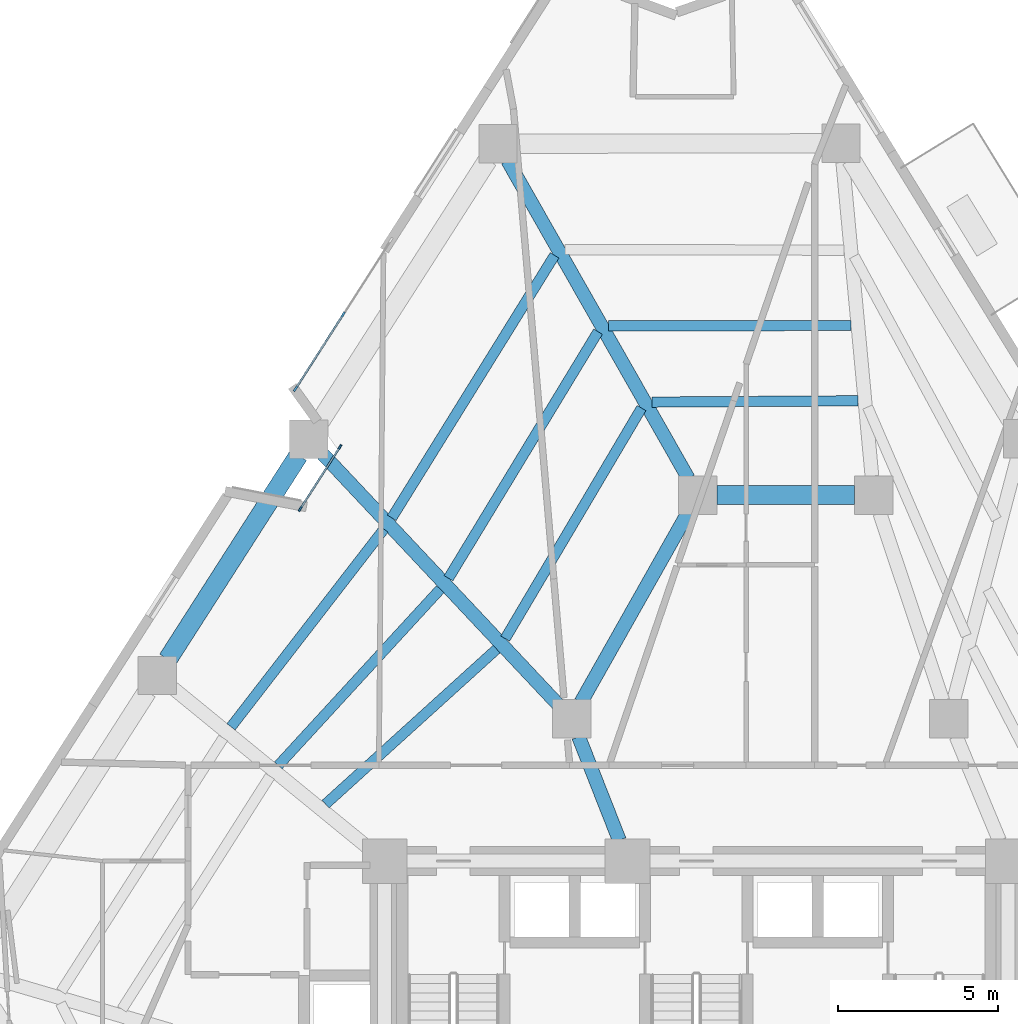
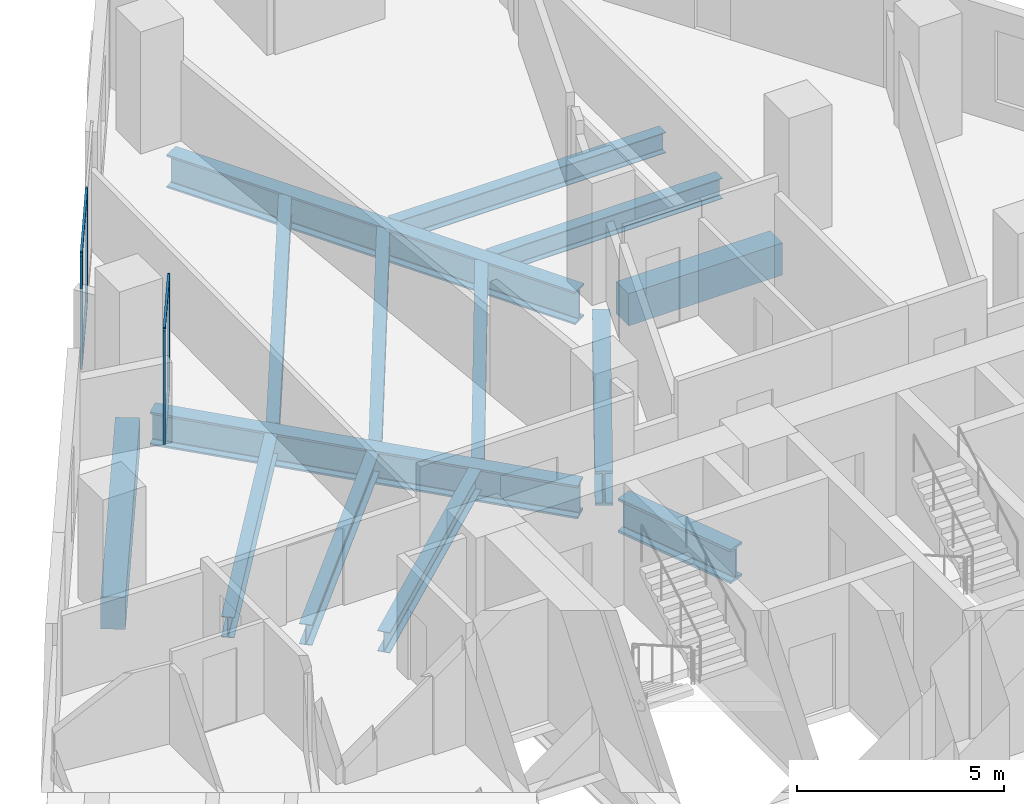
# One storey, part 3 of 13: 14 beams, 8 members, 2 elements without a shape of their own.
"""IFC4 building model written with IfcOpenShell, lengths in metres."""

import ifcopenshell
import ifcopenshell.guid

model = None  # the IFC model being written
_history = None  # IfcOwnerHistory: only IFC2X3 demands one
_inside = {}  # id of a spatial element -> (the spatial element, [elements in it])
_under = {}  # id of a project, library or spatial element -> (it, [spatial elements below it])
_declared = {}  # id of a project -> (the project, [libraries it declares])
_typed = {}  # id of a type object -> (the type object, [elements of that type])
_made_of = {}  # id of a material, layer set ... -> (it, [elements and type objects made of it])


def new_model(schema):
    """Start an empty IFC model of exactly this schema.

    Asked for "IFC4X3", IfcOpenShell would pick the latest addendum, in which some entities
    have other attributes; the version numbers below select the first issue.
    IFC2X3 requires an IfcOwnerHistory on every rooted entity: one is made here for all.
    """
    global model, _history
    if schema == "IFC4X3":
        model = ifcopenshell.file(schema_version=(4, 3, 0, 0))
    else:
        model = ifcopenshell.file(schema=schema)
    _inside.clear()
    _under.clear()
    _declared.clear()
    _typed.clear()
    _made_of.clear()
    _history = None
    if model.schema == "IFC2X3":
        org = make("IfcOrganization", Name="unknown")
        user = make(
            "IfcPersonAndOrganization",
            ThePerson=make("IfcPerson", FamilyName="unknown"),
            TheOrganization=org,
        )
        app = make(
            "IfcApplication",
            ApplicationDeveloper=org,
            Version="unknown",
            ApplicationFullName="unknown",
            ApplicationIdentifier="unknown",
        )
        _history = make(
            "IfcOwnerHistory",
            OwningUser=user,
            OwningApplication=app,
            ChangeAction="ADDED",
            CreationDate=0,
        )
    return model


def make(cls, **values):
    """One entity of the class cls with the attributes given. An attribute that is None is left unset."""
    return model.create_entity(
        cls, **{name: value for name, value in values.items() if value is not None}
    )


def rooted(cls, **values):
    """An entity with a GlobalId (a new one), such as an element, a storey or a relation."""
    return make(cls, GlobalId=ifcopenshell.guid.new(), OwnerHistory=_history, **values)


def si_unit(unit_type, name, prefix=None):
    """IfcSIUnit, for example si_unit("LENGTHUNIT", "METRE", prefix="MILLI")."""
    return make("IfcSIUnit", UnitType=unit_type, Prefix=prefix, Name=name)


def assignment(units):
    """IfcUnitAssignment: the units of a project."""
    return None if units is None else make("IfcUnitAssignment", Units=units)


def point(xyz):
    """IfcCartesianPoint."""
    return None if xyz is None else make("IfcCartesianPoint", Coordinates=xyz)


def direction(xyz):
    """IfcDirection."""
    return None if xyz is None else make("IfcDirection", DirectionRatios=xyz)


def frame(location, z_axis=None, x_axis=None):
    """IfcAxis2Placement3D, a coordinate frame: its origin and axes. An axis left out is left unset."""
    return make(
        "IfcAxis2Placement3D",
        Location=point(location),
        Axis=direction(z_axis),
        RefDirection=direction(x_axis),
    )


def frame_2d(location, x_axis=None):
    """IfcAxis2Placement2D, a coordinate frame in the plane: its origin and x axis."""
    return make(
        "IfcAxis2Placement2D", Location=point(location), RefDirection=direction(x_axis)
    )


def origin():
    """The frame at (0, 0, 0) with its axes left unset."""
    return frame((0.0, 0.0, 0.0))


def origin_2d():
    """The frame at (0, 0) in the plane with its x axis left unset."""
    return frame_2d((0.0, 0.0))


def place(relative_to, where):
    """IfcLocalPlacement: puts the frame where relative to a parent placement (None: the world)."""
    return make(
        "IfcLocalPlacement", PlacementRelTo=relative_to, RelativePlacement=where
    )


def context(
    kind, dimensions, precision=None, world=None, true_north=None, identifier=None
):
    """IfcGeometricRepresentationContext, for example the 3D "Model" context."""
    return make(
        "IfcGeometricRepresentationContext",
        ContextIdentifier=identifier,
        ContextType=kind,
        CoordinateSpaceDimension=dimensions,
        Precision=precision,
        WorldCoordinateSystem=world,
        TrueNorth=true_north,
    )


def subcontext(parent, identifier, kind, view, scale=None):
    """IfcGeometricRepresentationSubContext, for example "Body" below "Model"."""
    return make(
        "IfcGeometricRepresentationSubContext",
        ContextIdentifier=identifier,
        ContextType=kind,
        ParentContext=parent,
        TargetScale=scale,
        TargetView=view,
    )


def project(units=None, contexts=None):
    """IfcProject with its units and contexts."""
    return rooted(
        "IfcProject",
        Name="project",
        RepresentationContexts=contexts,
        UnitsInContext=assignment(units),
    )


def spatial(cls, under=None, at=None, **own):
    """A site, building, storey or space (cls), placed at a placement, below another one or the project."""
    s = rooted(cls, ObjectPlacement=at, **own)
    if under is not None:
        _under.setdefault(under.id(), (under, []))[1].append(s)
    return s


def profile(cls, at=None, kind="AREA", **sizes):
    """A parametric profile (cls). Its sizes go by their IFC names, for example OverallWidth=200.0."""
    return make(cls, ProfileType=kind, Position=at, **sizes)


def rectangle(**sizes):
    """IfcRectangleProfileDef."""
    return profile("IfcRectangleProfileDef", **sizes)


def i_section(**sizes):
    """IfcIShapeProfileDef."""
    return profile("IfcIShapeProfileDef", **sizes)


def extrude(swept, where, along, depth):
    """IfcExtrudedAreaSolid: the profile swept, set in the frame where, extruded along a direction by depth."""
    return make(
        "IfcExtrudedAreaSolid",
        SweptArea=swept,
        Position=where,
        ExtrudedDirection=direction(along),
        Depth=depth,
    )


def shape(context_of_items, identifier, shape_type, items):
    """IfcShapeRepresentation: the items that make up one representation, for example the "Body"."""
    return make(
        "IfcShapeRepresentation",
        ContextOfItems=context_of_items,
        RepresentationIdentifier=identifier,
        RepresentationType=shape_type,
        Items=items,
    )


def material(Name=None, Category=None):
    """IfcMaterial."""
    return make("IfcMaterial", Name=Name, Category=Category)


def layer(
    of_material, thickness, ventilated=None, Name=None, Category=None, Priority=None
):
    """IfcMaterialLayer: one layer of a wall or slab, of a material (None: an air gap)."""
    return make(
        "IfcMaterialLayer",
        Material=of_material,
        LayerThickness=thickness,
        IsVentilated=ventilated,
        Name=Name,
        Category=Category,
        Priority=Priority,
    )


def layer_set(layers, Name=None):
    """IfcMaterialLayerSet."""
    return make("IfcMaterialLayerSet", MaterialLayers=layers, LayerSetName=Name)


def material_profile(
    of_material, cross_section, Name=None, Category=None, Priority=None
):
    """IfcMaterialProfile: a cross section and its material."""
    return make(
        "IfcMaterialProfile",
        Name=Name,
        Material=of_material,
        Profile=cross_section,
        Priority=Priority,
        Category=Category,
    )


def profile_set(profiles, Name=None, composite=None):
    """IfcMaterialProfileSet."""
    return make(
        "IfcMaterialProfileSet",
        Name=Name,
        MaterialProfiles=profiles,
        CompositeProfile=composite,
    )


def made_of(thing, what):
    """Note that an element or type object is made of a material, layer set ...; save() writes the relation."""
    if what is not None:
        _made_of.setdefault(what.id(), (what, []))[1].append(thing)
    return thing


def type_object(cls, material=None, **own):
    """A type object (cls), such as IfcWallType, which elements share."""
    return made_of(rooted(cls, **own), material)


def element(
    cls,
    number,
    at=None,
    inside=None,
    cuts=None,
    type_object=None,
    material=None,
    context=None,
    identifier="Body",
    shape_type=None,
    held_by="IfcProductDefinitionShape",
    body=None,
    shapes=None,
    **own,
):
    """One element of the class cls, such as IfcWall. Its Tag is "e" and its number.

    at: its placement. inside: the storey or other place that contains it. cuts: it is an
    opening in that element (IfcRelVoidsElement). A single representation is given by context,
    identifier, shape_type and body (its items); several are given by shapes. held_by: the class
    of the entity that holds the representations. save() writes the other relations.
    """
    e = rooted(cls, Tag="e%d" % number, ObjectPlacement=at, **own)
    if body is not None:
        shapes = [shape(context, identifier, shape_type, body)]
    if shapes is not None:
        e.Representation = make(held_by, Representations=shapes)
    if inside is not None:
        _inside.setdefault(inside.id(), (inside, []))[1].append(e)
    if cuts is not None:
        rooted(
            "IfcRelVoidsElement", RelatingBuildingElement=cuts, RelatedOpeningElement=e
        )
    if type_object is not None:
        _typed.setdefault(type_object.id(), (type_object, []))[1].append(e)
    return made_of(e, material)


def aggregate(whole, parts):
    """IfcRelAggregates: a whole, such as a stair, and the parts it consists of."""
    return rooted("IfcRelAggregates", RelatingObject=whole, RelatedObjects=parts)


def save(model, path):
    """Write the relations noted so far, then the file.

    IfcRelAggregates (storeys below a building ...), IfcRelContainedInSpatialStructure (elements
    in a storey), IfcRelDefinesByType, IfcRelAssociatesMaterial and IfcRelDeclares: one each for
    every whole, place, type object, material and project.
    """
    for whole, parts in _under.values():
        aggregate(whole, parts)
    for where, things in _inside.values():
        rooted(
            "IfcRelContainedInSpatialStructure",
            RelatedElements=things,
            RelatingStructure=where,
        )
    for kind, things in _typed.values():
        rooted("IfcRelDefinesByType", RelatedObjects=things, RelatingType=kind)
    for what, things in _made_of.values():
        rooted("IfcRelAssociatesMaterial", RelatedObjects=things, RelatingMaterial=what)
    for by, libraries in _declared.values():
        rooted("IfcRelDeclares", RelatingContext=by, RelatedDefinitions=libraries)
    model.write(path)


model = new_model("IFC4")

# Units and contexts
model_context = context("Model", 3, precision=1e-05, world=origin(), true_north=direction((0.0, 1.0)))
body_context = subcontext(model_context, "Body", "Model", "MODEL_VIEW")
ifc_project = project(units=[si_unit("LENGTHUNIT", "METRE"), si_unit("AREAUNIT", "SQUARE_METRE"), si_unit("VOLUMEUNIT", "CUBIC_METRE"), si_unit("PLANEANGLEUNIT", "RADIAN"), si_unit("MASSUNIT", "GRAM", prefix="KILO")], contexts=[model_context])

# Site, building, storey
site_placement = place(None, origin())
site = spatial("IfcSite", under=ifc_project, at=site_placement, CompositionType="ELEMENT")
building_placement = place(site_placement, origin())
building = spatial("IfcBuilding", under=site, at=building_placement, Name="Almagre Mirador Tower", CompositionType="ELEMENT")
storey_placement = place(building_placement, frame((0.0, 0.0, 85.800048828125)))
storey = spatial("IfcBuildingStorey", under=building, at=storey_placement, Name="L21", CompositionType="ELEMENT", Elevation=85.800048828125)

# Beams
ifc_material_1 = material(Name="Steel ASTM A992 Grade 50", Category="steel")
ifc_material_profile_1 = material_profile(ifc_material_1, i_section(OverallWidth=0.323974609375, OverallDepth=0.611083984375, WebThickness=0.0126953125, FlangeThickness=0.01904296875, FilletRadius=0.02001953125, at=origin_2d()), Name="W24X104")
ifc_profile_set_1 = profile_set([ifc_material_profile_1], Name="Steel ASTM A992 Grade 50")
beam_type_1 = type_object("IfcBeamType", Name="BM-JST-W24X104", PredefinedType="JOIST", material=ifc_profile_set_1)
beam_1_placement = place(storey_placement, frame((42.142333984375, 31.50732421875, -0.5556640625), z_axis=(-0.999998857543, -0.001511592523, 0.0), x_axis=(0.001511592523, -0.999998857543, 0.0)))
element("IfcBeam", 1, at=beam_1_placement, inside=storey, type_object=beam_type_1, Name="L21 secondary floor joist PC08-PC09.2", PredefinedType="JOIST", context=body_context, shape_type="SweptSolid", body=[
    extrude(i_section(OverallWidth=0.323974609375, OverallDepth=0.611083984375, WebThickness=0.0126953125, FlangeThickness=0.01904296875, FilletRadius=0.02001953125, at=origin_2d()), origin(), (0.0, 0.0, 1.0), 7.591064453125),
])
beam_2_placement = place(storey_placement, frame((42.361328125, 29.151123046875, -0.5556640625), z_axis=(-0.999979554323, -0.006394602114, 0.0), x_axis=(0.006394602114, -0.999979554323, 0.0)))
element("IfcBeam", 2, at=beam_2_placement, inside=storey, type_object=beam_type_1, Name="L21 secondary floor joist PC08-PC09.3", PredefinedType="JOIST", context=body_context, shape_type="SweptSolid", body=[
    extrude(i_section(OverallWidth=0.323974609375, OverallDepth=0.611083984375, WebThickness=0.0126953125, FlangeThickness=0.01904296875, FilletRadius=0.02001953125, at=origin_2d()), origin(), (0.0, 0.0, 1.0), 6.452392578125),
])
beam_3_placement = place(storey_placement, frame((32.8662109375, 33.70068359375, -0.5556640625), z_axis=(-0.527025078824, -0.849849731594, 0.0), x_axis=(0.849849731594, -0.527025078824, 0.0)))
element("IfcBeam", 3, at=beam_3_placement, inside=storey, type_object=beam_type_1, Name="L21 secondary floor joist PC09-PC10.1", PredefinedType="JOIST", context=body_context, shape_type="SweptSolid", body=[
    extrude(i_section(OverallWidth=0.323974609375, OverallDepth=0.611083984375, WebThickness=0.0126953125, FlangeThickness=0.01904296875, FilletRadius=0.02001953125, at=origin_2d()), origin(), (0.0, 0.0, 1.0), 9.662841796875),
])
beam_4_placement = place(storey_placement, frame((34.226318359375, 31.3125, -0.5556640625), z_axis=(-0.51862919068, -0.854999276359, 0.0), x_axis=(0.854999276359, -0.51862919068, 0.0)))
element("IfcBeam", 4, at=beam_4_placement, inside=storey, type_object=beam_type_1, Name="L21 secondary floor joist PC09-PC10.2", PredefinedType="JOIST", context=body_context, shape_type="SweptSolid", body=[
    extrude(i_section(OverallWidth=0.323974609375, OverallDepth=0.611083984375, WebThickness=0.0126953125, FlangeThickness=0.01904296875, FilletRadius=0.02001953125, at=origin_2d()), origin(), (0.0, 0.0, 1.0), 9.020263671875),
])
beam_5_placement = place(storey_placement, frame((35.586181640625, 28.92431640625, -0.5556640625), z_axis=(-0.508893233188, -0.860829644712, 0.0), x_axis=(0.860829644712, -0.508893233188, 0.0)))
element("IfcBeam", 5, at=beam_5_placement, inside=storey, type_object=beam_type_1, Name="L21 secondary floor joist PC09-PC10.3", PredefinedType="JOIST", context=body_context, shape_type="SweptSolid", body=[
    extrude(i_section(OverallWidth=0.323974609375, OverallDepth=0.611083984375, WebThickness=0.0126953125, FlangeThickness=0.01904296875, FilletRadius=0.02001953125, at=origin_2d()), origin(), (0.0, 0.0, 1.0), 8.37939453125),
])
beam_6_placement = place(storey_placement, frame((27.530029296875, 25.1376953125, -0.5556640625), z_axis=(-0.611727324998, -0.791068694773, 0.0), x_axis=(0.791068694773, -0.611727324998, 0.0)))
element("IfcBeam", 6, at=beam_6_placement, inside=storey, type_object=beam_type_1, Name="L21 secondary floor joist PC10-PC11.1", PredefinedType="JOIST", context=body_context, shape_type="SweptSolid", body=[
    extrude(i_section(OverallWidth=0.323974609375, OverallDepth=0.611083984375, WebThickness=0.0126953125, FlangeThickness=0.01904296875, FilletRadius=0.02001953125, at=origin_2d()), origin(), (0.0, 0.0, 1.0), 7.82080078125),
])
beam_7_placement = place(storey_placement, frame((29.292236328125, 23.259521484375, -0.5556640625), z_axis=(-0.676538846578, -0.73640694529, 0.0), x_axis=(0.73640694529, -0.676538846578, 0.0)))
element("IfcBeam", 7, at=beam_7_placement, inside=storey, type_object=beam_type_1, Name="L21 secondary floor joist PC10-PC11.2", PredefinedType="JOIST", context=body_context, shape_type="SweptSolid", body=[
    extrude(i_section(OverallWidth=0.323974609375, OverallDepth=0.611083984375, WebThickness=0.0126953125, FlangeThickness=0.01904296875, FilletRadius=0.02001953125, at=origin_2d()), origin(), (0.0, 0.0, 1.0), 7.4912109375),
])
beam_8_placement = place(storey_placement, frame((31.054443359375, 21.38330078125, -0.5556640625), z_axis=(-0.7409990396, -0.671506085834, 0.0), x_axis=(0.671506085834, -0.7409990396, 0.0)))
element("IfcBeam", 8, at=beam_8_placement, inside=storey, type_object=beam_type_1, Name="L21 secondary floor joist PC10-PC11.3", PredefinedType="JOIST", context=body_context, shape_type="SweptSolid", body=[
    extrude(i_section(OverallWidth=0.323974609375, OverallDepth=0.611083984375, WebThickness=0.0126953125, FlangeThickness=0.01904296875, FilletRadius=0.02001953125, at=origin_2d()), origin(), (0.0, 0.0, 1.0), 7.22314453125),
])
ifc_material_2 = material(Name="Concrete C60/75", Category="concrete")
ifc_material_profile_2 = material_profile(ifc_material_2, rectangle(XDim=0.60009765625, YDim=0.949951171875, at=origin_2d()), Name="RC600X950")
ifc_profile_set_2 = profile_set([ifc_material_profile_2], Name="Concrete C60/75")
beam_type_2 = type_object("IfcBeamType", Name="BM-LIN-RC600X950", PredefinedType="LINTEL", material=ifc_profile_set_2)
beam_9_placement = place(storey_placement, frame((37.949951171875, 26.199951171875, -0.72509765625), z_axis=(1.0, 0.0, 0.0), x_axis=(0.0, 1.0, 0.0)))
element("IfcBeam", 9, at=beam_9_placement, inside=storey, type_object=beam_type_2, Name="L21 coupled header lintel LN-01", PredefinedType="LINTEL", context=body_context, shape_type="SweptSolid", body=[
    extrude(rectangle(XDim=0.60009765625, YDim=0.949951171875, at=origin_2d()), origin(), (0.0, 0.0, 1.0), 4.300048828125),
])
ifc_material_3 = material(Name="Precast concrete C50/60", Category="concrete")
ifc_material_profile_3 = material_profile(ifc_material_3, rectangle(XDim=0.60009765625, YDim=0.949951171875, at=origin_2d()), Name="RC600X950")
ifc_profile_set_3 = profile_set([ifc_material_profile_3], Name="Precast concrete C50/60")
beam_type_3 = type_object("IfcBeamType", Name="BM-SPN-RC600X950", PredefinedType="SPANDREL", material=ifc_profile_set_3)
beam_10_placement = place(storey_placement, frame((24.854248046875, 27.44384765625, -0.72509765625), z_axis=(-0.539465888447, -0.84200745555, 0.0), x_axis=(0.84200745555, -0.539465888447, 0.0)))
element("IfcBeam", 10, at=beam_10_placement, inside=storey, type_object=beam_type_3, Name="L21 perimeter spandrel beam PC10-PC11", PredefinedType="SPANDREL", context=body_context, shape_type="SweptSolid", body=[
    extrude(rectangle(XDim=0.60009765625, YDim=0.949951171875, at=origin_2d()), origin(), (0.0, 0.0, 1.0), 7.5791015625),
])
ifc_material_4 = material(Name="Steel ASTM A992 Grade 50", Category="steel")
ifc_material_profile_4 = material_profile(ifc_material_4, i_section(OverallWidth=0.427978515625, OverallDepth=0.97509765625, WebThickness=0.031005859375, FlangeThickness=0.055908203125, FilletRadius=0.028076171875, at=origin_2d()), Name="W36X395")
ifc_profile_set_4 = profile_set([ifc_material_profile_4], Name="Steel ASTM A992 Grade 50")
beam_type_4 = type_object("IfcBeamType", Name="BM-STL-W36X395", PredefinedType="BEAM", material=ifc_profile_set_4)
beam_11_placement = place(storey_placement, frame((31.394775390625, 36.66748046875, -0.737548828125), z_axis=(0.494490623946, -0.869182962805, 0.0), x_axis=(0.869182962805, 0.494490623946, 0.0)))
element("IfcBeam", 11, at=beam_11_placement, inside=storey, type_object=beam_type_4, Name="L21 radial floor girder PC09-MC7", PredefinedType="BEAM", context=body_context, shape_type="SweptSolid", body=[
    extrude(i_section(OverallWidth=0.427978515625, OverallDepth=0.97509765625, WebThickness=0.031005859375, FlangeThickness=0.055908203125, FilletRadius=0.028076171875, at=origin_2d()), origin(), (0.0, 0.0, 1.0), 11.44287109375),
])
beam_12_placement = place(storey_placement, frame((25.5888671875, 27.51171875, -0.737548828125), z_axis=(0.684816925133, -0.728715156321, 0.0), x_axis=(0.728715156321, 0.684816925133, 0.0)))
element("IfcBeam", 12, at=beam_12_placement, inside=storey, type_object=beam_type_4, Name="L21 radial floor girder PC10-MC8", PredefinedType="BEAM", context=body_context, shape_type="SweptSolid", body=[
    extrude(i_section(OverallWidth=0.427978515625, OverallDepth=0.97509765625, WebThickness=0.031005859375, FlangeThickness=0.055908203125, FilletRadius=0.028076171875, at=origin_2d()), origin(), (0.0, 0.0, 1.0), 10.805908203125),
])
ifc_material_5 = material(Name="Steel ASTM A992 Grade 50", Category="steel")
ifc_material_profile_5 = material_profile(ifc_material_5, i_section(OverallWidth=0.43701171875, OverallDepth=1.010986328125, WebThickness=0.041015625, FlangeThickness=0.073974609375, FilletRadius=0.028076171875, at=origin_2d()), Name="W36X529")
ifc_profile_set_5 = profile_set([ifc_material_profile_5], Name="Steel ASTM A992 Grade 50")
beam_type_5 = type_object("IfcBeamType", Name="BM-STL-W36X529", PredefinedType="BEAM", material=ifc_profile_set_5)
beam_13_placement = place(storey_placement, frame((37.05517578125, 25.677490234375, -0.755615234375), z_axis=(-0.491440637516, -0.870911074564, 0.0), x_axis=(0.870911074564, -0.491440637516, 0.0)))
element("IfcBeam", 13, at=beam_13_placement, inside=storey, type_object=beam_type_5, Name="L21 core tie girder MC7-MC8", PredefinedType="BEAM", context=body_context, shape_type="SweptSolid", body=[
    extrude(i_section(OverallWidth=0.43701171875, OverallDepth=1.010986328125, WebThickness=0.041015625, FlangeThickness=0.073974609375, FilletRadius=0.028076171875, at=origin_2d()), origin(), (0.0, 0.0, 1.0), 6.837646484375),
])
beam_14_placement = place(storey_placement, frame((33.61962890625, 18.6416015625, -0.755615234375), z_axis=(0.365956076985, -0.93063212373, 0.0), x_axis=(0.93063212373, 0.365956076985, 0.0)))
element("IfcBeam", 14, at=beam_14_placement, inside=storey, type_object=beam_type_5, Name="L21 core tie girder MC8-CC5", PredefinedType="BEAM", context=body_context, shape_type="SweptSolid", body=[
    extrude(i_section(OverallWidth=0.43701171875, OverallDepth=1.010986328125, WebThickness=0.041015625, FlangeThickness=0.073974609375, FilletRadius=0.028076171875, at=origin_2d()), origin(), (0.0, 0.0, 1.0), 3.481689453125),
])

# Curtain wall, members
ifc_material_6 = material(Name="Black anodized aluminium", Category="aluminium")
ifc_layer_1 = layer(ifc_material_6, 0.169921875)
ifc_layer_set_1 = layer_set([ifc_layer_1], Name="Black anodized aluminium")
curtain_wall_type_1 = type_object("IfcCurtainWallType", Name="CW-CRS-SYS", PredefinedType="NOTDEFINED", material=ifc_layer_set_1)
curtain_wall_1_placement = place(storey_placement, origin())
curtain_wall_1 = element("IfcCurtainWall", 15, at=curtain_wall_1_placement, inside=storey, type_object=curtain_wall_type_1, Name="L21 vertical crease curtain wall 01", PredefinedType="NOTDEFINED")
ifc_material_7 = material(Name="Black anodized aluminium", Category="aluminium")
ifc_material_profile_6 = material_profile(ifc_material_7, rectangle(XDim=0.06005859375, YDim=0.14990234375, at=origin_2d()), Name="CWM60X150")
ifc_profile_set_6 = profile_set([ifc_material_profile_6], Name="Black anodized aluminium")
member_type_1 = type_object("IfcMemberType", Name="MBR-CWM60X150", PredefinedType="MULLION", material=ifc_profile_set_6)
member_1_placement = place(storey_placement, frame((24.90673828125, 25.763427734375, 0.0), z_axis=(0.0, 0.0, 1.0), x_axis=(-0.842016797543, 0.539451307029, 0.0)))
member_1 = element("IfcMember", 16, at=member_1_placement, type_object=member_type_1, Name="CW-4 mullion 1", PredefinedType="MULLION", context=body_context, shape_type="SweptSolid", body=[
    extrude(rectangle(XDim=0.06005859375, YDim=0.14990234375, at=origin_2d()), origin(), (0.0, 0.0, 1.0), 3.349853515625),
])
member_2_placement = place(storey_placement, frame((26.15234375, 27.70751953125, 0.0), z_axis=(0.0, 0.0, 1.0), x_axis=(-0.842016797543, 0.539451307029, 0.0)))
member_2 = element("IfcMember", 17, at=member_2_placement, type_object=member_type_1, Name="CW-4 mullion 2", PredefinedType="MULLION", context=body_context, shape_type="SweptSolid", body=[
    extrude(rectangle(XDim=0.06005859375, YDim=0.14990234375, at=origin_2d()), origin(), (0.0, 0.0, 1.0), 3.349853515625),
])

ifc_material_8 = material(Name="Black anodized aluminium", Category="aluminium")
ifc_layer_2 = layer(ifc_material_8, 0.18994140625)
ifc_layer_set_2 = layer_set([ifc_layer_2], Name="Black anodized aluminium")
curtain_wall_type_2 = type_object("IfcCurtainWallType", Name="CW-RES-L-SYS", PredefinedType="NOTDEFINED", material=ifc_layer_set_2)
curtain_wall_2_placement = place(storey_placement, origin())
curtain_wall_2 = element("IfcCurtainWall", 18, at=curtain_wall_2_placement, inside=storey, type_object=curtain_wall_type_2, Name="L21 curtain wall run 02", PredefinedType="NOTDEFINED")
ifc_material_9 = material(Name="Black anodized aluminium", Category="aluminium")
ifc_material_profile_7 = material_profile(ifc_material_9, rectangle(XDim=0.06494140625, YDim=0.179931640625, at=origin_2d()), Name="CWM65X180")
ifc_profile_set_7 = profile_set([ifc_material_profile_7], Name="Black anodized aluminium")
member_type_2 = type_object("IfcMemberType", Name="MBR-CWM65X180", PredefinedType="MULLION", material=ifc_profile_set_7)
member_3_placement = place(storey_placement, frame((24.761474609375, 29.5224609375, 0.0), z_axis=(0.0, 0.0, 1.0), x_axis=(-0.842008263443, 0.539464627472, 0.0)))
member_3 = element("IfcMember", 19, at=member_3_placement, type_object=member_type_2, Name="CW-2 mullion 1", PredefinedType="MULLION", context=body_context, shape_type="SweptSolid", body=[
    extrude(rectangle(XDim=0.06494140625, YDim=0.179931640625, at=origin_2d()), origin(), (0.0, 0.0, 1.0), 3.349853515625),
])
member_4_placement = place(storey_placement, frame((26.25244140625, 31.849609375, 0.0), z_axis=(0.0, 0.0, 1.0), x_axis=(-0.842008263443, 0.539464627472, 0.0)))
member_4 = element("IfcMember", 20, at=member_4_placement, type_object=member_type_2, Name="CW-2 mullion 2", PredefinedType="MULLION", context=body_context, shape_type="SweptSolid", body=[
    extrude(rectangle(XDim=0.06494140625, YDim=0.179931640625, at=origin_2d()), origin(), (0.0, 0.0, 1.0), 3.349853515625),
])

# Member
ifc_material_10 = material(Name="Black anodized aluminium", Category="aluminium")
ifc_material_profile_8 = material_profile(ifc_material_10, rectangle(XDim=0.06005859375, YDim=0.1298828125, at=origin_2d()), Name="CWT60X130")
ifc_profile_set_8 = profile_set([ifc_material_profile_8], Name="Black anodized aluminium")
member_type_3 = type_object("IfcMemberType", Name="MBR-CWT60X130", PredefinedType="USERDEFINED", material=ifc_profile_set_8)
member_5_placement = place(storey_placement, frame((24.9228515625, 25.78857421875, 0.030029296875), z_axis=(0.539478698407, 0.841999248198, 0.0), x_axis=(-0.841999248198, 0.539478698407, 0.0)))
member_5 = element("IfcMember", 21, at=member_5_placement, type_object=member_type_3, Name="CW-4 transom 1.1", ObjectType="TRANSOM", PredefinedType="USERDEFINED", context=body_context, shape_type="SweptSolid", body=[
    extrude(rectangle(XDim=0.06005859375, YDim=0.1298828125, at=origin_2d()), origin(), (0.0, 0.0, 1.0), 2.249267578125),
])

member_6_placement = place(storey_placement, frame((24.9228515625, 25.78857421875, 3.320068359375), z_axis=(0.539478698407, 0.841999248198, 0.0), x_axis=(-0.841999248198, 0.539478698407, 0.0)))
member_6 = element("IfcMember", 22, at=member_6_placement, type_object=member_type_3, Name="CW-4 transom 1.2", ObjectType="TRANSOM", PredefinedType="USERDEFINED", context=body_context, shape_type="SweptSolid", body=[
    extrude(rectangle(XDim=0.06005859375, YDim=0.1298828125, at=origin_2d()), origin(), (0.0, 0.0, 1.0), 2.249267578125),
])

aggregate(curtain_wall_1, [member_1, member_2, member_5, member_6])

member_7_placement = place(storey_placement, frame((24.779052734375, 29.5498046875, 0.030029296875), z_axis=(0.539472091751, 0.842003481122, 0.0), x_axis=(-0.842003481122, 0.539472091751, 0.0)))
member_7 = element("IfcMember", 23, at=member_7_placement, type_object=member_type_3, Name="CW-2 transom 1.1", ObjectType="TRANSOM", PredefinedType="USERDEFINED", context=body_context, shape_type="SweptSolid", body=[
    extrude(rectangle(XDim=0.06005859375, YDim=0.1298828125, at=origin_2d()), origin(), (0.0, 0.0, 1.0), 2.698486328125),
])

member_8_placement = place(storey_placement, frame((24.779052734375, 29.5498046875, 3.320068359375), z_axis=(0.539472091751, 0.842003481122, 0.0), x_axis=(-0.842003481122, 0.539472091751, 0.0)))
member_8 = element("IfcMember", 24, at=member_8_placement, type_object=member_type_3, Name="CW-2 transom 1.2", ObjectType="TRANSOM", PredefinedType="USERDEFINED", context=body_context, shape_type="SweptSolid", body=[
    extrude(rectangle(XDim=0.06005859375, YDim=0.1298828125, at=origin_2d()), origin(), (0.0, 0.0, 1.0), 2.698486328125),
])

aggregate(curtain_wall_2, [member_3, member_4, member_7, member_8])

save(model, "model.ifc")
